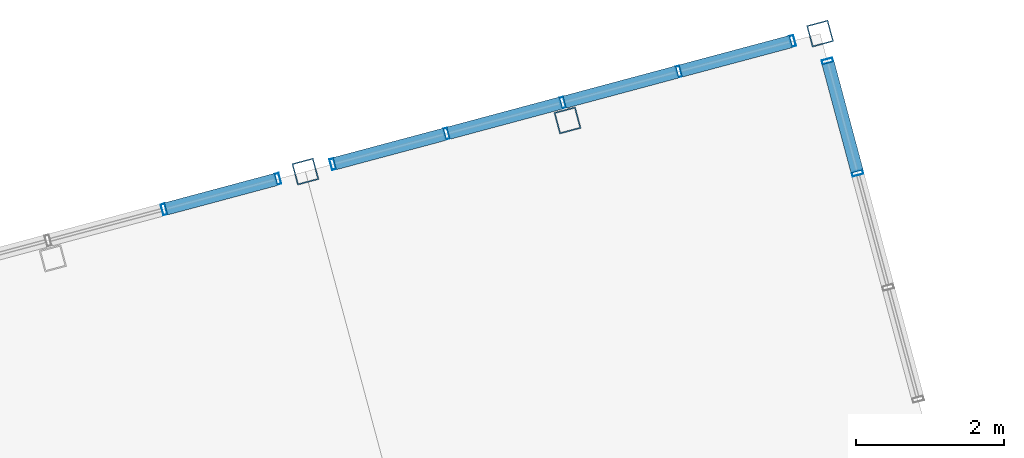
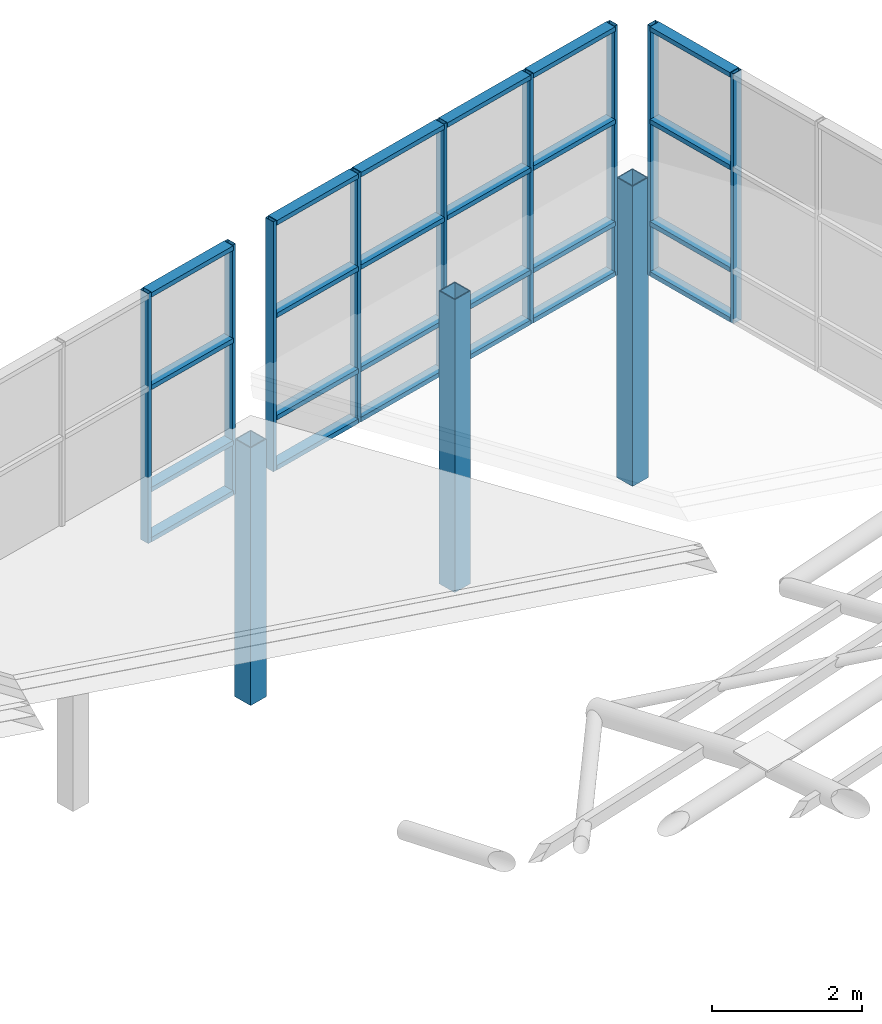
# One storey, part 22 of 28: 36 members, 3 elements without a shape of their own.
"""IFC4 building model written with IfcOpenShell, lengths in metres."""

from ifc_helpers import new_model, si_unit, direction, frame, origin, origin_2d, place, context, subcontext, project, spatial, hollow_rectangle, extrude, material, layer, layer_set, material_profile, profile_set, type_object, element, aggregate, save


model = new_model("IFC4")

# Units and contexts
model_context = context("Model", 3, precision=1e-05, world=origin(), true_north=direction((0.0, 1.0)))
body_context = subcontext(model_context, "Body", "Model", "MODEL_VIEW")
ifc_project = project(units=[si_unit("LENGTHUNIT", "METRE"), si_unit("AREAUNIT", "SQUARE_METRE"), si_unit("VOLUMEUNIT", "CUBIC_METRE"), si_unit("PLANEANGLEUNIT", "RADIAN"), si_unit("MASSUNIT", "GRAM", prefix="KILO")], contexts=[model_context])

# Site, building, storey
site_placement = place(None, origin())
site = spatial("IfcSite", under=ifc_project, at=site_placement, CompositionType="ELEMENT")
building_placement = place(site_placement, origin())
building = spatial("IfcBuilding", under=site, at=building_placement, Name="Ventoquebrada Cableway Terminal", CompositionType="ELEMENT")
storey_placement = place(building_placement, frame((0.0, 0.0, 23.39990234375)))
storey = spatial("IfcBuildingStorey", under=building, at=storey_placement, Name="RF", CompositionType="ELEMENT", Elevation=23.39990234375)

# Curtain wall, members
ifc_material_1 = material(Name="Anodized thermally-broken aluminium", Category="aluminium")
ifc_layer_1 = layer(ifc_material_1, 0.159912109375)
ifc_layer_set_1 = layer_set([ifc_layer_1], Name="Anodized thermally-broken aluminium")
curtain_wall_type_1 = type_object("IfcCurtainWallType", Name="CW-T48", PredefinedType="USERDEFINED", material=ifc_layer_set_1)
curtain_wall_1_placement = place(storey_placement, origin())
curtain_wall_1 = element("IfcCurtainWall", 1, at=curtain_wall_1_placement, inside=storey, type_object=curtain_wall_type_1, Name="Unitised glazed curtain wall CW-159", ObjectType="UNITISED CURTAIN WALL", PredefinedType="USERDEFINED")
ifc_material_profile_1 = material_profile(ifc_material_1, hollow_rectangle(XDim=0.06005859375, YDim=0.14990234375, WallThickness=0.00390625, at=origin_2d()), Name="CW-MUL-60X150")
ifc_profile_set_1 = profile_set([ifc_material_profile_1], Name="Anodized thermally-broken aluminium")
member_type_1 = type_object("IfcMemberType", Name="CWM-03", PredefinedType="MULLION", material=ifc_profile_set_1)
member_1_placement = place(storey_placement, frame((72.695068359375, 102.2529296875, -0.06298828125), z_axis=(0.0, 0.0, 1.0), x_axis=(-0.965894198369, -0.258937053273, 0.0)))
member_1 = element("IfcMember", 2, at=member_1_placement, type_object=member_type_1, Name="Curtain wall mullion FML-0772", PredefinedType="MULLION", context=body_context, shape_type="SweptSolid", body=[
    extrude(hollow_rectangle(XDim=0.06005859375, YDim=0.14990234375, WallThickness=0.00390625, at=origin_2d()), origin(), (0.0, 0.0, 1.0), 4.068115234375),
])
member_2_placement = place(storey_placement, frame((71.158935546875, 101.841064453125, -0.06298828125), z_axis=(0.0, 0.0, 1.0), x_axis=(-0.965894198369, -0.258937053273, 0.0)))
member_2 = element("IfcMember", 3, at=member_2_placement, type_object=member_type_1, Name="Curtain wall mullion FML-0773", PredefinedType="MULLION", context=body_context, shape_type="SweptSolid", body=[
    extrude(hollow_rectangle(XDim=0.06005859375, YDim=0.14990234375, WallThickness=0.00390625, at=origin_2d()), origin(), (0.0, 0.0, 1.0), 4.068115234375),
])

curtain_wall_2_placement = place(storey_placement, origin())
curtain_wall_2 = element("IfcCurtainWall", 4, at=curtain_wall_2_placement, inside=storey, type_object=curtain_wall_type_1, Name="Unitised glazed curtain wall CW-160", ObjectType="UNITISED CURTAIN WALL", PredefinedType="USERDEFINED")
member_3_placement = place(storey_placement, frame((79.64990234375, 104.115966796875, -0.06298828125), z_axis=(0.0, 0.0, 1.0), x_axis=(-0.965943892913, -0.258751610128, 0.0)))
member_3 = element("IfcMember", 5, at=member_3_placement, type_object=member_type_1, Name="Curtain wall mullion FML-0777", PredefinedType="MULLION", context=body_context, shape_type="SweptSolid", body=[
    extrude(hollow_rectangle(XDim=0.06005859375, YDim=0.14990234375, WallThickness=0.00390625, at=origin_2d()), origin(), (0.0, 0.0, 1.0), 4.068115234375),
])
member_4_placement = place(storey_placement, frame((78.114013671875, 103.7041015625, -0.06298828125), z_axis=(0.0, 0.0, 1.0), x_axis=(-0.965943892913, -0.258751610128, 0.0)))
member_4 = element("IfcMember", 6, at=member_4_placement, type_object=member_type_1, Name="Curtain wall mullion FML-0778", PredefinedType="MULLION", context=body_context, shape_type="SweptSolid", body=[
    extrude(hollow_rectangle(XDim=0.06005859375, YDim=0.14990234375, WallThickness=0.00390625, at=origin_2d()), origin(), (0.0, 0.0, 1.0), 4.068115234375),
])
member_5_placement = place(storey_placement, frame((76.5439453125, 103.283935546875, -0.06298828125), z_axis=(0.0, 0.0, 1.0), x_axis=(-0.965943892913, -0.258751610128, 0.0)))
member_5 = element("IfcMember", 7, at=member_5_placement, type_object=member_type_1, Name="Curtain wall mullion FML-0779", PredefinedType="MULLION", context=body_context, shape_type="SweptSolid", body=[
    extrude(hollow_rectangle(XDim=0.06005859375, YDim=0.14990234375, WallThickness=0.00390625, at=origin_2d()), origin(), (0.0, 0.0, 1.0), 4.068115234375),
])
member_6_placement = place(storey_placement, frame((74.97509765625, 102.864013671875, -0.06298828125), z_axis=(0.0, 0.0, 1.0), x_axis=(-0.965943892913, -0.258751610128, 0.0)))
member_6 = element("IfcMember", 8, at=member_6_placement, type_object=member_type_1, Name="Curtain wall mullion FML-0780", PredefinedType="MULLION", context=body_context, shape_type="SweptSolid", body=[
    extrude(hollow_rectangle(XDim=0.06005859375, YDim=0.14990234375, WallThickness=0.00390625, at=origin_2d()), origin(), (0.0, 0.0, 1.0), 4.068115234375),
])
member_7_placement = place(storey_placement, frame((73.43896484375, 102.451904296875, -0.06298828125), z_axis=(0.0, 0.0, 1.0), x_axis=(-0.965943892913, -0.258751610128, 0.0)))
member_7 = element("IfcMember", 9, at=member_7_placement, type_object=member_type_1, Name="Curtain wall mullion FML-0781", PredefinedType="MULLION", context=body_context, shape_type="SweptSolid", body=[
    extrude(hollow_rectangle(XDim=0.06005859375, YDim=0.14990234375, WallThickness=0.00390625, at=origin_2d()), origin(), (0.0, 0.0, 1.0), 4.068115234375),
])

ifc_layer_2 = layer(ifc_material_1, 0.159912109375)
ifc_layer_set_2 = layer_set([ifc_layer_2], Name="Anodized thermally-broken aluminium")
curtain_wall_type_2 = type_object("IfcCurtainWallType", Name="CW-T49", PredefinedType="USERDEFINED", material=ifc_layer_set_2)
curtain_wall_3_placement = place(storey_placement, origin())
curtain_wall_3 = element("IfcCurtainWall", 10, at=curtain_wall_3_placement, inside=storey, type_object=curtain_wall_type_2, Name="Unitised glazed curtain wall CW-168", ObjectType="UNITISED CURTAIN WALL", PredefinedType="USERDEFINED")
member_8_placement = place(storey_placement, frame((80.527099609375, 102.33203125, -0.06298828125), z_axis=(0.0, 0.0, 1.0), x_axis=(-0.258717892168, 0.96595292446, 0.0)))
member_8 = element("IfcMember", 11, at=member_8_placement, type_object=member_type_1, Name="Curtain wall mullion FML-0816", PredefinedType="MULLION", context=body_context, shape_type="SweptSolid", body=[
    extrude(hollow_rectangle(XDim=0.06005859375, YDim=0.14990234375, WallThickness=0.00390625, at=origin_2d()), origin(), (0.0, 0.0, 1.0), 4.068115234375),
])
member_9_placement = place(storey_placement, frame((80.1220703125, 103.843994140625, -0.06298828125), z_axis=(0.0, 0.0, 1.0), x_axis=(-0.258717892168, 0.96595292446, 0.0)))
member_9 = element("IfcMember", 12, at=member_9_placement, type_object=member_type_1, Name="Curtain wall mullion FML-0817", PredefinedType="MULLION", context=body_context, shape_type="SweptSolid", body=[
    extrude(hollow_rectangle(XDim=0.06005859375, YDim=0.14990234375, WallThickness=0.00390625, at=origin_2d()), origin(), (0.0, 0.0, 1.0), 4.068115234375),
])

# Member
ifc_material_profile_2 = material_profile(ifc_material_1, hollow_rectangle(XDim=0.074951171875, YDim=0.169921875, WallThickness=0.00439453125, at=origin_2d()), Name="CW-TRN-75X170")
ifc_profile_set_2 = profile_set([ifc_material_profile_2], Name="Anodized thermally-broken aluminium")
member_type_2 = type_object("IfcMemberType", Name="CWT-03", PredefinedType="USERDEFINED", material=ifc_profile_set_2)
member_10_placement = place(storey_placement, frame((72.6708984375, 102.24609375, -0.02001953125), z_axis=(-0.965957961207, -0.258699086162, 0.0), x_axis=(0.0, 0.0, 1.0)))
member_10 = element("IfcMember", 13, at=member_10_placement, type_object=member_type_2, Name="Curtain wall transom FTR-2252", ObjectType="TRANSOM", PredefinedType="USERDEFINED", context=body_context, shape_type="SweptSolid", body=[
    extrude(hollow_rectangle(XDim=0.074951171875, YDim=0.169921875, WallThickness=0.00439453125, at=origin_2d()), origin(), (0.0, 0.0, 1.0), 1.539306640625),
])

member_11_placement = place(storey_placement, frame((72.6708984375, 102.24609375, 0.795166015625), z_axis=(-0.965957961207, -0.258699086162, 0.0), x_axis=(0.0, 0.0, 1.0)))
member_11 = element("IfcMember", 14, at=member_11_placement, type_object=member_type_2, Name="Curtain wall transom FTR-2253", ObjectType="TRANSOM", PredefinedType="USERDEFINED", context=body_context, shape_type="SweptSolid", body=[
    extrude(hollow_rectangle(XDim=0.074951171875, YDim=0.169921875, WallThickness=0.00439453125, at=origin_2d()), origin(), (0.0, 0.0, 1.0), 1.539306640625),
])

member_12_placement = place(storey_placement, frame((72.6708984375, 102.24609375, 2.458984375), z_axis=(-0.965957961207, -0.258699086162, 0.0), x_axis=(0.0, 0.0, 1.0)))
member_12 = element("IfcMember", 15, at=member_12_placement, type_object=member_type_2, Name="Curtain wall transom FTR-2254", ObjectType="TRANSOM", PredefinedType="USERDEFINED", context=body_context, shape_type="SweptSolid", body=[
    extrude(hollow_rectangle(XDim=0.074951171875, YDim=0.169921875, WallThickness=0.00439453125, at=origin_2d()), origin(), (0.0, 0.0, 1.0), 1.539306640625),
])

member_13_placement = place(storey_placement, frame((72.6708984375, 102.24609375, 3.965087890625), z_axis=(-0.965957961207, -0.258699086162, 0.0), x_axis=(0.0, 0.0, 1.0)))
member_13 = element("IfcMember", 16, at=member_13_placement, type_object=member_type_2, Name="Curtain wall transom FTR-2255", ObjectType="TRANSOM", PredefinedType="USERDEFINED", context=body_context, shape_type="SweptSolid", body=[
    extrude(hollow_rectangle(XDim=0.074951171875, YDim=0.169921875, WallThickness=0.00439453125, at=origin_2d()), origin(), (0.0, 0.0, 1.0), 1.539306640625),
])

aggregate(curtain_wall_1, [member_1, member_2, member_10, member_11, member_12, member_13])

member_14_placement = place(storey_placement, frame((79.6259765625, 104.10888671875, -0.02001953125), z_axis=(-0.966050544784, -0.25835313995, 0.0), x_axis=(0.0, 0.0, 1.0)))
member_14 = element("IfcMember", 17, at=member_14_placement, type_object=member_type_2, Name="Curtain wall transom FTR-2268", ObjectType="TRANSOM", PredefinedType="USERDEFINED", context=body_context, shape_type="SweptSolid", body=[
    extrude(hollow_rectangle(XDim=0.074951171875, YDim=0.169921875, WallThickness=0.00439453125, at=origin_2d()), origin(), (0.0, 0.0, 1.0), 1.540283203125),
])

member_15_placement = place(storey_placement, frame((79.6259765625, 104.10888671875, 0.795166015625), z_axis=(-0.966050544784, -0.25835313995, 0.0), x_axis=(0.0, 0.0, 1.0)))
member_15 = element("IfcMember", 18, at=member_15_placement, type_object=member_type_2, Name="Curtain wall transom FTR-2269", ObjectType="TRANSOM", PredefinedType="USERDEFINED", context=body_context, shape_type="SweptSolid", body=[
    extrude(hollow_rectangle(XDim=0.074951171875, YDim=0.169921875, WallThickness=0.00439453125, at=origin_2d()), origin(), (0.0, 0.0, 1.0), 1.540283203125),
])

member_16_placement = place(storey_placement, frame((79.6259765625, 104.10888671875, 2.458984375), z_axis=(-0.966050544784, -0.25835313995, 0.0), x_axis=(0.0, 0.0, 1.0)))
member_16 = element("IfcMember", 19, at=member_16_placement, type_object=member_type_2, Name="Curtain wall transom FTR-2270", ObjectType="TRANSOM", PredefinedType="USERDEFINED", context=body_context, shape_type="SweptSolid", body=[
    extrude(hollow_rectangle(XDim=0.074951171875, YDim=0.169921875, WallThickness=0.00439453125, at=origin_2d()), origin(), (0.0, 0.0, 1.0), 1.540283203125),
])

member_17_placement = place(storey_placement, frame((79.6259765625, 104.10888671875, 3.965087890625), z_axis=(-0.966050544784, -0.25835313995, 0.0), x_axis=(0.0, 0.0, 1.0)))
member_17 = element("IfcMember", 20, at=member_17_placement, type_object=member_type_2, Name="Curtain wall transom FTR-2271", ObjectType="TRANSOM", PredefinedType="USERDEFINED", context=body_context, shape_type="SweptSolid", body=[
    extrude(hollow_rectangle(XDim=0.074951171875, YDim=0.169921875, WallThickness=0.00439453125, at=origin_2d()), origin(), (0.0, 0.0, 1.0), 1.540283203125),
])

member_18_placement = place(storey_placement, frame((78.090087890625, 103.697998046875, -0.02001953125), z_axis=(-0.965860816082, -0.259061544731, 0.0), x_axis=(0.0, 0.0, 1.0)))
member_18 = element("IfcMember", 21, at=member_18_placement, type_object=member_type_2, Name="Curtain wall transom FTR-2272", ObjectType="TRANSOM", PredefinedType="USERDEFINED", context=body_context, shape_type="SweptSolid", body=[
    extrude(hollow_rectangle(XDim=0.074951171875, YDim=0.169921875, WallThickness=0.00439453125, at=origin_2d()), origin(), (0.0, 0.0, 1.0), 1.57470703125),
])

member_19_placement = place(storey_placement, frame((78.090087890625, 103.697998046875, 0.795166015625), z_axis=(-0.965860816082, -0.259061544731, 0.0), x_axis=(0.0, 0.0, 1.0)))
member_19 = element("IfcMember", 22, at=member_19_placement, type_object=member_type_2, Name="Curtain wall transom FTR-2273", ObjectType="TRANSOM", PredefinedType="USERDEFINED", context=body_context, shape_type="SweptSolid", body=[
    extrude(hollow_rectangle(XDim=0.074951171875, YDim=0.169921875, WallThickness=0.00439453125, at=origin_2d()), origin(), (0.0, 0.0, 1.0), 1.57470703125),
])

member_20_placement = place(storey_placement, frame((78.090087890625, 103.697998046875, 2.458984375), z_axis=(-0.965860816082, -0.259061544731, 0.0), x_axis=(0.0, 0.0, 1.0)))
member_20 = element("IfcMember", 23, at=member_20_placement, type_object=member_type_2, Name="Curtain wall transom FTR-2274", ObjectType="TRANSOM", PredefinedType="USERDEFINED", context=body_context, shape_type="SweptSolid", body=[
    extrude(hollow_rectangle(XDim=0.074951171875, YDim=0.169921875, WallThickness=0.00439453125, at=origin_2d()), origin(), (0.0, 0.0, 1.0), 1.57470703125),
])

member_21_placement = place(storey_placement, frame((78.090087890625, 103.697998046875, 3.965087890625), z_axis=(-0.965860816082, -0.259061544731, 0.0), x_axis=(0.0, 0.0, 1.0)))
member_21 = element("IfcMember", 24, at=member_21_placement, type_object=member_type_2, Name="Curtain wall transom FTR-2275", ObjectType="TRANSOM", PredefinedType="USERDEFINED", context=body_context, shape_type="SweptSolid", body=[
    extrude(hollow_rectangle(XDim=0.074951171875, YDim=0.169921875, WallThickness=0.00439453125, at=origin_2d()), origin(), (0.0, 0.0, 1.0), 1.57470703125),
])

member_22_placement = place(storey_placement, frame((76.52001953125, 103.278076171875, -0.02001953125), z_axis=(-0.965860816082, -0.259061544731, 0.0), x_axis=(0.0, 0.0, 1.0)))
member_22 = element("IfcMember", 25, at=member_22_placement, type_object=member_type_2, Name="Curtain wall transom FTR-2276", ObjectType="TRANSOM", PredefinedType="USERDEFINED", context=body_context, shape_type="SweptSolid", body=[
    extrude(hollow_rectangle(XDim=0.074951171875, YDim=0.169921875, WallThickness=0.00439453125, at=origin_2d()), origin(), (0.0, 0.0, 1.0), 1.57470703125),
])

member_23_placement = place(storey_placement, frame((76.52001953125, 103.278076171875, 0.795166015625), z_axis=(-0.965860816082, -0.259061544731, 0.0), x_axis=(0.0, 0.0, 1.0)))
member_23 = element("IfcMember", 26, at=member_23_placement, type_object=member_type_2, Name="Curtain wall transom FTR-2277", ObjectType="TRANSOM", PredefinedType="USERDEFINED", context=body_context, shape_type="SweptSolid", body=[
    extrude(hollow_rectangle(XDim=0.074951171875, YDim=0.169921875, WallThickness=0.00439453125, at=origin_2d()), origin(), (0.0, 0.0, 1.0), 1.57470703125),
])

member_24_placement = place(storey_placement, frame((76.52001953125, 103.278076171875, 2.458984375), z_axis=(-0.965860816082, -0.259061544731, 0.0), x_axis=(0.0, 0.0, 1.0)))
member_24 = element("IfcMember", 27, at=member_24_placement, type_object=member_type_2, Name="Curtain wall transom FTR-2278", ObjectType="TRANSOM", PredefinedType="USERDEFINED", context=body_context, shape_type="SweptSolid", body=[
    extrude(hollow_rectangle(XDim=0.074951171875, YDim=0.169921875, WallThickness=0.00439453125, at=origin_2d()), origin(), (0.0, 0.0, 1.0), 1.57470703125),
])

member_25_placement = place(storey_placement, frame((76.52001953125, 103.278076171875, 3.965087890625), z_axis=(-0.965860816082, -0.259061544731, 0.0), x_axis=(0.0, 0.0, 1.0)))
member_25 = element("IfcMember", 28, at=member_25_placement, type_object=member_type_2, Name="Curtain wall transom FTR-2279", ObjectType="TRANSOM", PredefinedType="USERDEFINED", context=body_context, shape_type="SweptSolid", body=[
    extrude(hollow_rectangle(XDim=0.074951171875, YDim=0.169921875, WallThickness=0.00439453125, at=origin_2d()), origin(), (0.0, 0.0, 1.0), 1.57470703125),
])

member_26_placement = place(storey_placement, frame((74.950927734375, 102.85693359375, -0.02001953125), z_axis=(-0.966050544784, -0.25835313995, 0.0), x_axis=(0.0, 0.0, 1.0)))
member_26 = element("IfcMember", 29, at=member_26_placement, type_object=member_type_2, Name="Curtain wall transom FTR-2280", ObjectType="TRANSOM", PredefinedType="USERDEFINED", context=body_context, shape_type="SweptSolid", body=[
    extrude(hollow_rectangle(XDim=0.074951171875, YDim=0.169921875, WallThickness=0.00439453125, at=origin_2d()), origin(), (0.0, 0.0, 1.0), 1.540283203125),
])

member_27_placement = place(storey_placement, frame((74.950927734375, 102.85693359375, 0.795166015625), z_axis=(-0.966050544784, -0.25835313995, 0.0), x_axis=(0.0, 0.0, 1.0)))
member_27 = element("IfcMember", 30, at=member_27_placement, type_object=member_type_2, Name="Curtain wall transom FTR-2281", ObjectType="TRANSOM", PredefinedType="USERDEFINED", context=body_context, shape_type="SweptSolid", body=[
    extrude(hollow_rectangle(XDim=0.074951171875, YDim=0.169921875, WallThickness=0.00439453125, at=origin_2d()), origin(), (0.0, 0.0, 1.0), 1.540283203125),
])

member_28_placement = place(storey_placement, frame((74.950927734375, 102.85693359375, 2.458984375), z_axis=(-0.966050544784, -0.25835313995, 0.0), x_axis=(0.0, 0.0, 1.0)))
member_28 = element("IfcMember", 31, at=member_28_placement, type_object=member_type_2, Name="Curtain wall transom FTR-2282", ObjectType="TRANSOM", PredefinedType="USERDEFINED", context=body_context, shape_type="SweptSolid", body=[
    extrude(hollow_rectangle(XDim=0.074951171875, YDim=0.169921875, WallThickness=0.00439453125, at=origin_2d()), origin(), (0.0, 0.0, 1.0), 1.540283203125),
])

member_29_placement = place(storey_placement, frame((74.950927734375, 102.85693359375, 3.965087890625), z_axis=(-0.966050544784, -0.25835313995, 0.0), x_axis=(0.0, 0.0, 1.0)))
member_29 = element("IfcMember", 32, at=member_29_placement, type_object=member_type_2, Name="Curtain wall transom FTR-2283", ObjectType="TRANSOM", PredefinedType="USERDEFINED", context=body_context, shape_type="SweptSolid", body=[
    extrude(hollow_rectangle(XDim=0.074951171875, YDim=0.169921875, WallThickness=0.00439453125, at=origin_2d()), origin(), (0.0, 0.0, 1.0), 1.540283203125),
])

aggregate(curtain_wall_2, [member_3, member_4, member_5, member_6, member_7, member_14, member_15, member_16, member_17, member_18, member_19, member_20, member_21, member_22, member_23, member_24, member_25, member_26, member_27, member_28, member_29])

member_30_placement = place(storey_placement, frame((80.52099609375, 102.35595703125, -0.02001953125), z_axis=(-0.258685093224, 0.965961708632, 0.0), x_axis=(0.0, 0.0, 1.0)))
member_30 = element("IfcMember", 33, at=member_30_placement, type_object=member_type_2, Name="Curtain wall transom FTR-2392", ObjectType="TRANSOM", PredefinedType="USERDEFINED", context=body_context, shape_type="SweptSolid", body=[
    extrude(hollow_rectangle(XDim=0.074951171875, YDim=0.169921875, WallThickness=0.00439453125, at=origin_2d()), origin(), (0.0, 0.0, 1.0), 1.515625),
])

member_31_placement = place(storey_placement, frame((80.52099609375, 102.35595703125, 0.795166015625), z_axis=(-0.258685093224, 0.965961708632, 0.0), x_axis=(0.0, 0.0, 1.0)))
member_31 = element("IfcMember", 34, at=member_31_placement, type_object=member_type_2, Name="Curtain wall transom FTR-2393", ObjectType="TRANSOM", PredefinedType="USERDEFINED", context=body_context, shape_type="SweptSolid", body=[
    extrude(hollow_rectangle(XDim=0.074951171875, YDim=0.169921875, WallThickness=0.00439453125, at=origin_2d()), origin(), (0.0, 0.0, 1.0), 1.515625),
])

member_32_placement = place(storey_placement, frame((80.52099609375, 102.35595703125, 2.458984375), z_axis=(-0.258685093224, 0.965961708632, 0.0), x_axis=(0.0, 0.0, 1.0)))
member_32 = element("IfcMember", 35, at=member_32_placement, type_object=member_type_2, Name="Curtain wall transom FTR-2394", ObjectType="TRANSOM", PredefinedType="USERDEFINED", context=body_context, shape_type="SweptSolid", body=[
    extrude(hollow_rectangle(XDim=0.074951171875, YDim=0.169921875, WallThickness=0.00439453125, at=origin_2d()), origin(), (0.0, 0.0, 1.0), 1.515625),
])

member_33_placement = place(storey_placement, frame((80.52099609375, 102.35595703125, 3.965087890625), z_axis=(-0.258685093224, 0.965961708632, 0.0), x_axis=(0.0, 0.0, 1.0)))
member_33 = element("IfcMember", 36, at=member_33_placement, type_object=member_type_2, Name="Curtain wall transom FTR-2395", ObjectType="TRANSOM", PredefinedType="USERDEFINED", context=body_context, shape_type="SweptSolid", body=[
    extrude(hollow_rectangle(XDim=0.074951171875, YDim=0.169921875, WallThickness=0.00439453125, at=origin_2d()), origin(), (0.0, 0.0, 1.0), 1.515625),
])

aggregate(curtain_wall_3, [member_8, member_9, member_30, member_31, member_32, member_33])

# Members
ifc_material_2 = material(Name="Steel ASTM A500 Grade C", Category="steel")
ifc_material_profile_3 = material_profile(ifc_material_2, hollow_rectangle(XDim=0.300048828125, YDim=0.300048828125, WallThickness=0.01611328125, at=origin_2d()), Name="HSS300X300X16")
ifc_profile_set_3 = profile_set([ifc_material_profile_3], Name="Steel ASTM A500 Grade C")
member_type_3 = type_object("IfcMemberType", Name="PST-GS01", PredefinedType="STRUT", material=ifc_profile_set_3)
member_34_placement = place(storey_placement, frame((76.60888671875, 103.04296875, -3.39990234375), z_axis=(0.0, 0.0, 1.0), x_axis=(0.965925826289, 0.258819045103, 0.0)))
element("IfcMember", 37, at=member_34_placement, inside=storey, type_object=member_type_3, Name="Gridshell eaves support post PS-0464", PredefinedType="STRUT", context=body_context, shape_type="SweptSolid", body=[
    extrude(hollow_rectangle(XDim=0.300048828125, YDim=0.300048828125, WallThickness=0.01611328125, at=origin_2d()), origin(), (0.0, 0.0, 1.0), 4.76708984375),
])
ifc_material_profile_4 = material_profile(ifc_material_2, hollow_rectangle(XDim=0.300048828125, YDim=0.300048828125, WallThickness=0.01611328125, at=origin_2d()), Name="HSS300X300X16")
ifc_profile_set_4 = profile_set([ifc_material_profile_4], Name="Steel ASTM A500 Grade C")
member_type_4 = type_object("IfcMemberType", Name="STR-VS01", PredefinedType="STRUT", material=ifc_profile_set_4)
member_35_placement = place(storey_placement, frame((73.06689453125, 102.35205078125, -3.579833984375), z_axis=(0.0, 0.0, 1.0), x_axis=(0.965925826289, 0.258819045103, 0.0)))
element("IfcMember", 38, at=member_35_placement, inside=storey, type_object=member_type_4, Name="Gridshell deck stand-off post GS-SP-0458", PredefinedType="STRUT", context=body_context, shape_type="SweptSolid", body=[
    extrude(hollow_rectangle(XDim=0.300048828125, YDim=0.300048828125, WallThickness=0.01611328125, at=origin_2d()), origin(), (0.0, 0.0, 1.0), 4.19384765625),
])
member_36_placement = place(storey_placement, frame((80.02197265625, 104.216064453125, -3.579833984375), z_axis=(0.0, 0.0, 1.0), x_axis=(0.965925826289, 0.258819045103, 0.0)))
element("IfcMember", 39, at=member_36_placement, inside=storey, type_object=member_type_4, Name="Gridshell deck stand-off post GS-SP-0463", PredefinedType="STRUT", context=body_context, shape_type="SweptSolid", body=[
    extrude(hollow_rectangle(XDim=0.300048828125, YDim=0.300048828125, WallThickness=0.01611328125, at=origin_2d()), origin(), (0.0, 0.0, 1.0), 4.885009765625),
])

save(model, "model.ifc")
